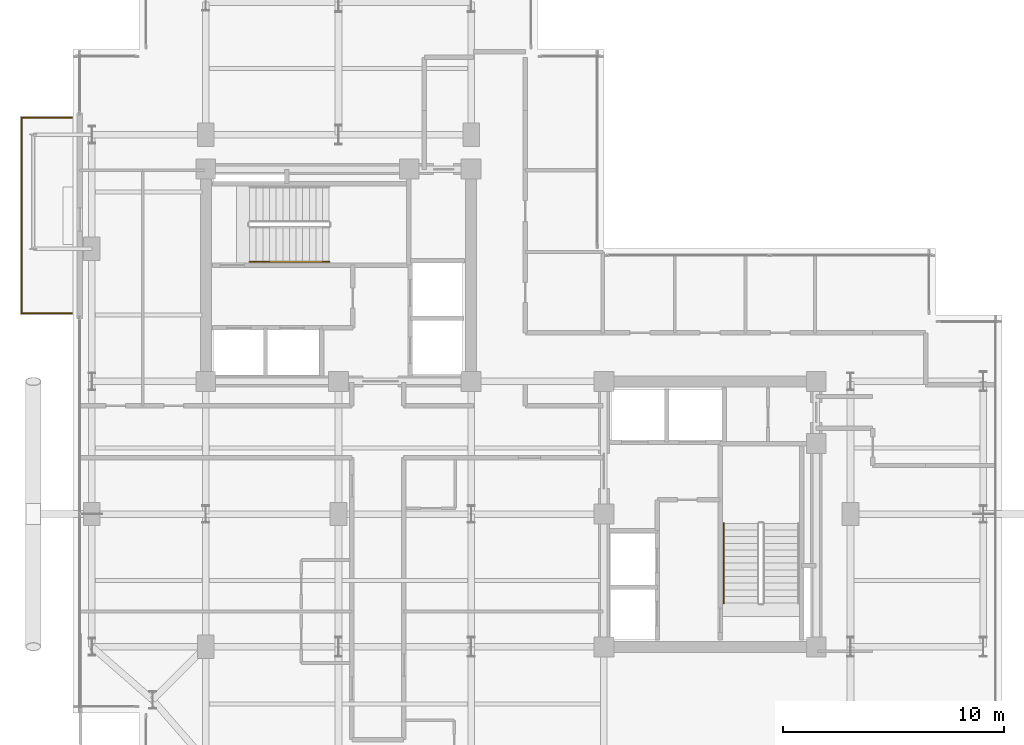
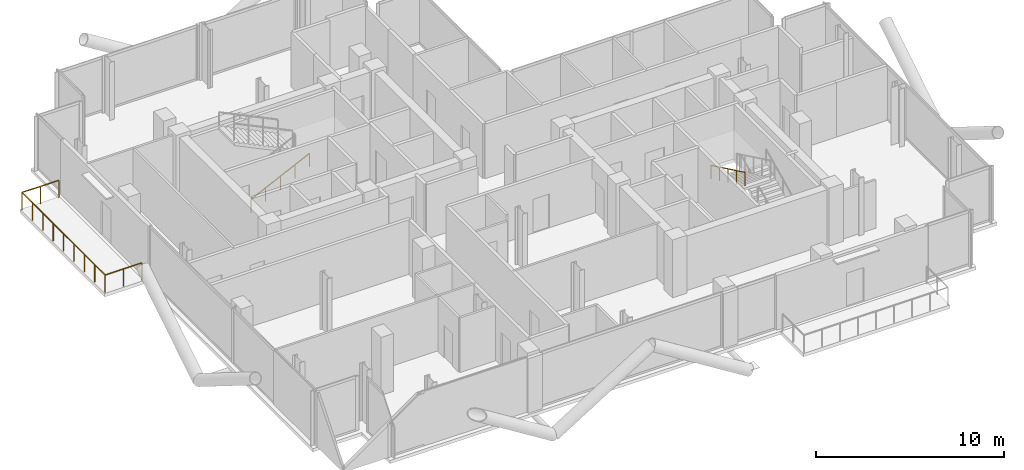
# One storey, part 23 of 25: 3 railings.
"""IFC4 building model written with IfcOpenShell, lengths in metres."""

from ifc_helpers import new_model, si_unit, direction, frame, origin, origin_2d, place, context, subcontext, project, spatial, rectangle, extrude, material, type_object, element, save


model = new_model("IFC4")

# Units and contexts
model_context = context("Model", 3, precision=1e-05, world=origin(), true_north=direction((0.0, 1.0)))
body_context = subcontext(model_context, "Body", "Model", "MODEL_VIEW")
ifc_project = project(units=[si_unit("LENGTHUNIT", "METRE"), si_unit("AREAUNIT", "SQUARE_METRE"), si_unit("VOLUMEUNIT", "CUBIC_METRE"), si_unit("PLANEANGLEUNIT", "RADIAN"), si_unit("MASSUNIT", "GRAM", prefix="KILO"), si_unit("THERMODYNAMICTEMPERATUREUNIT", "KELVIN"), si_unit("POWERUNIT", "WATT")], contexts=[model_context])

# Site, building, storey
site_placement = place(None, origin())
site = spatial("IfcSite", under=ifc_project, at=site_placement, CompositionType="ELEMENT")
building_placement = place(site_placement, origin())
building = spatial("IfcBuilding", under=site, at=building_placement, Name="Svarakhadi Broadcast Tower", CompositionType="ELEMENT")
storey_placement = place(building_placement, frame((0.0, 0.0, 216.14990234375)))
storey = spatial("IfcBuildingStorey", under=building, at=storey_placement, Name="L53", CompositionType="ELEMENT", Elevation=216.14990234375)

# Railings
ifc_material_1 = material(Name="Laminated Structural SentryGlas Balustrade 25.5 mm", Category="glass")
railing_type_1 = type_object("IfcRailingType", Name="Guard_Balcony_GR01", PredefinedType="BALUSTRADE", material=ifc_material_1)
railing_1_placement = place(storey_placement, frame((-0.06005859375, 21.080078125, 0.0)))
element("IfcRailing", 1, at=railing_1_placement, inside=storey, type_object=railing_type_1, Name="L53 West Tree Balcony Guard GR-05", PredefinedType="BALUSTRADE", context=body_context, shape_type="SweptSolid", body=[
    extrude(rectangle(XDim=0.048095703125, YDim=0.048095703125, at=origin_2d()), frame((0.0, 0.0, 1.1259765625), z_axis=(-1.0, 0.0, 0.0), x_axis=(0.0, -1.0, 0.0)), (0.0, 0.0, 1.0), 2.260009765625),
    extrude(rectangle(XDim=0.048095703125, YDim=0.048095703125, at=origin_2d()), frame((-2.260009765625, 0.0, 1.1259765625), z_axis=(0.0, 1.0, 0.0), x_axis=(-1.0, 0.0, 0.0)), (0.0, 0.0, 1.0), 8.83984375),
    extrude(rectangle(XDim=0.048095703125, YDim=0.048095703125, at=origin_2d()), frame((-2.260009765625, 8.83984375, 1.1259765625), z_axis=(1.0, 0.0, 0.0), x_axis=(0.0, 1.0, 0.0)), (0.0, 0.0, 1.0), 2.260009765625),
    extrude(rectangle(XDim=0.0419921875, YDim=0.0419921875, at=origin_2d()), origin(), (0.0, 0.0, 1.0), 1.101806640625),
    extrude(rectangle(XDim=0.0419921875, YDim=0.0419921875, at=origin_2d()), frame((-1.1298828125, 0.0, 0.0)), (0.0, 0.0, 1.0), 1.101806640625),
    extrude(rectangle(XDim=0.0419921875, YDim=0.0419921875, at=origin_2d()), frame((-2.260009765625, 0.0, 0.0)), (0.0, 0.0, 1.0), 1.101806640625),
    extrude(rectangle(XDim=0.0419921875, YDim=0.0419921875, at=origin_2d()), frame((-2.260009765625, 1.10498046875, 0.0)), (0.0, 0.0, 1.0), 1.101806640625),
    extrude(rectangle(XDim=0.0419921875, YDim=0.0419921875, at=origin_2d()), frame((-2.260009765625, 2.2099609375, 0.0)), (0.0, 0.0, 1.0), 1.101806640625),
    extrude(rectangle(XDim=0.0419921875, YDim=0.0419921875, at=origin_2d()), frame((-2.260009765625, 3.31494140625, 0.0)), (0.0, 0.0, 1.0), 1.101806640625),
    extrude(rectangle(XDim=0.0419921875, YDim=0.0419921875, at=origin_2d()), frame((-2.260009765625, 4.419921875, 0.0)), (0.0, 0.0, 1.0), 1.101806640625),
    extrude(rectangle(XDim=0.0419921875, YDim=0.0419921875, at=origin_2d()), frame((-2.260009765625, 5.52490234375, 0.0)), (0.0, 0.0, 1.0), 1.101806640625),
    extrude(rectangle(XDim=0.0419921875, YDim=0.0419921875, at=origin_2d()), frame((-2.260009765625, 6.6298828125, 0.0)), (0.0, 0.0, 1.0), 1.101806640625),
    extrude(rectangle(XDim=0.0419921875, YDim=0.0419921875, at=origin_2d()), frame((-2.260009765625, 7.73486328125, 0.0)), (0.0, 0.0, 1.0), 1.101806640625),
    extrude(rectangle(XDim=0.0419921875, YDim=0.0419921875, at=origin_2d()), frame((-2.260009765625, 8.83984375, 0.0)), (0.0, 0.0, 1.0), 1.101806640625),
    extrude(rectangle(XDim=0.0419921875, YDim=0.0419921875, at=origin_2d()), frame((-1.1298828125, 8.83984375, 0.0)), (0.0, 0.0, 1.0), 1.101806640625),
    extrude(rectangle(XDim=0.0419921875, YDim=0.0419921875, at=origin_2d()), frame((0.0, 8.83984375, 0.0)), (0.0, 0.0, 1.0), 1.101806640625),
])
ifc_material_2 = material(Name="Anodised Bronze Aluminium AA 6063-T6", Category="aluminium")
railing_type_2 = type_object("IfcRailingType", Name="Handrail_Stair_HR01", PredefinedType="HANDRAIL", material=ifc_material_2)
railing_2_placement = place(storey_placement, frame((7.97998046875, 23.409912109375, 0.144287109375)))
element("IfcRailing", 2, at=railing_2_placement, inside=storey, type_object=railing_type_2, Name="L53 ST-01 stair handrail 1", PredefinedType="HANDRAIL", context=body_context, shape_type="SweptSolid", body=[
    extrude(rectangle(XDim=0.048095703125, YDim=0.048095703125, at=origin_2d()), frame((0.0, 0.0, 0.8759765625), z_axis=(0.901262522062, 0.0, 0.433273431364), x_axis=(0.0, 1.0, 0.0)), (0.0, 0.0, 1.0), 3.994384765625),
    extrude(rectangle(XDim=0.0419921875, YDim=0.0419921875, at=origin_2d()), origin(), (0.0, 0.0, 1.0), 0.851806640625),
    extrude(rectangle(XDim=0.0419921875, YDim=0.0419921875, at=origin_2d()), frame((0.89990234375, 0.0, 0.4326171875)), (0.0, 0.0, 1.0), 0.851806640625),
    extrude(rectangle(XDim=0.0419921875, YDim=0.0419921875, at=origin_2d()), frame((1.800048828125, 0.0, 0.865234375)), (0.0, 0.0, 1.0), 0.851806640625),
    extrude(rectangle(XDim=0.0419921875, YDim=0.0419921875, at=origin_2d()), frame((2.7001953125, 0.0, 1.298095703125)), (0.0, 0.0, 1.0), 0.851806640625),
    extrude(rectangle(XDim=0.0419921875, YDim=0.0419921875, at=origin_2d()), frame((3.60009765625, 0.0, 1.730712890625)), (0.0, 0.0, 1.0), 0.851806640625),
])
railing_3_placement = place(storey_placement, frame((29.409912109375, 11.580078125, 2.019287109375)))
element("IfcRailing", 3, at=railing_3_placement, inside=storey, type_object=railing_type_2, Name="L53 ST-02 stair handrail 2", PredefinedType="HANDRAIL", context=body_context, shape_type="SweptSolid", body=[
    extrude(rectangle(XDim=0.048095703125, YDim=0.048095703125, at=origin_2d()), frame((0.0, 0.0, 0.8759765625), z_axis=(0.0, -0.901262522062, 0.433273431364), x_axis=(1.0, 0.0, 0.0)), (0.0, 0.0, 1.0), 3.994384765625),
    extrude(rectangle(XDim=0.0419921875, YDim=0.0419921875, at=origin_2d()), origin(), (0.0, 0.0, 1.0), 0.851806640625),
    extrude(rectangle(XDim=0.0419921875, YDim=0.0419921875, at=origin_2d()), frame((0.0, -0.89990234375, 0.4326171875)), (0.0, 0.0, 1.0), 0.851806640625),
    extrude(rectangle(XDim=0.0419921875, YDim=0.0419921875, at=origin_2d()), frame((0.0, -1.800048828125, 0.865234375)), (0.0, 0.0, 1.0), 0.851806640625),
    extrude(rectangle(XDim=0.0419921875, YDim=0.0419921875, at=origin_2d()), frame((0.0, -2.7001953125, 1.298095703125)), (0.0, 0.0, 1.0), 0.851806640625),
    extrude(rectangle(XDim=0.0419921875, YDim=0.0419921875, at=origin_2d()), frame((0.0, -3.60009765625, 1.730712890625)), (0.0, 0.0, 1.0), 0.851806640625),
])

save(model, "model.ifc")
